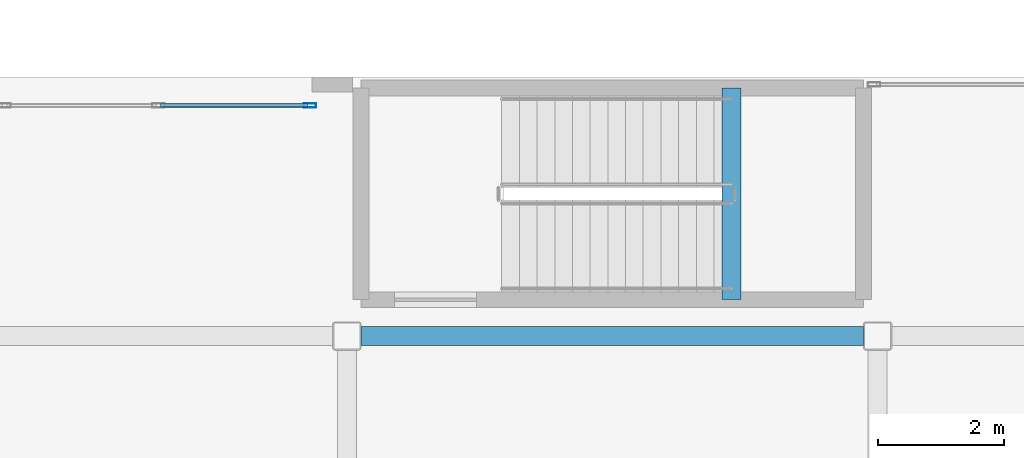
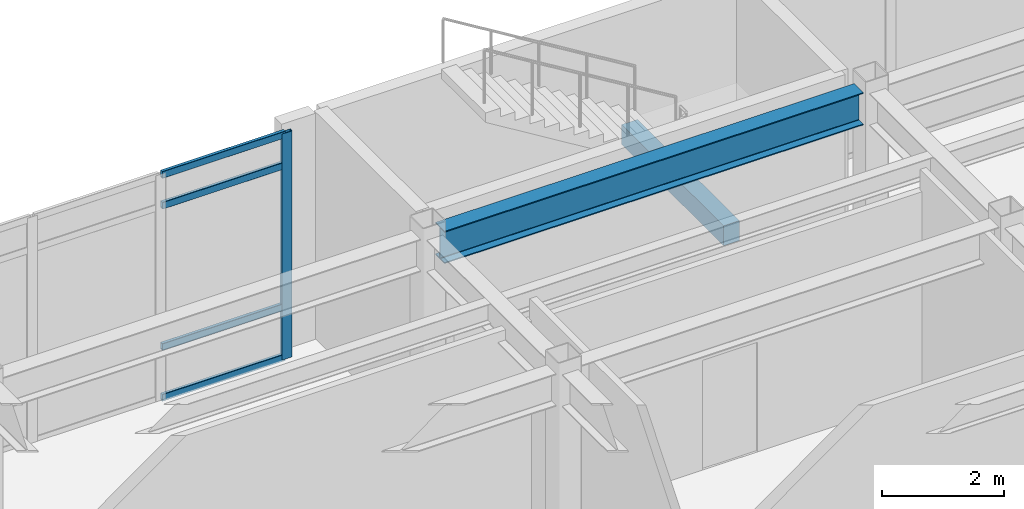
# One storey, part 87 of 172: 5 members, 2 beams, 1 element without a shape of its own.
"""IFC4 building model written with IfcOpenShell, lengths in metres."""

from ifc_helpers import new_model, si_unit, direction, frame, origin, origin_2d, place, context, subcontext, project, spatial, rectangle, hollow_rectangle, i_section, extrude, material, layer, layer_set, material_profile, profile_set, type_object, element, aggregate, save


model = new_model("IFC4")

# Units and contexts
model_context = context("Model", 3, precision=1e-05, world=origin(), true_north=direction((0.0, 1.0)))
body_context = subcontext(model_context, "Body", "Model", "MODEL_VIEW")
ifc_project = project(units=[si_unit("LENGTHUNIT", "METRE"), si_unit("AREAUNIT", "SQUARE_METRE"), si_unit("VOLUMEUNIT", "CUBIC_METRE"), si_unit("PLANEANGLEUNIT", "RADIAN"), si_unit("MASSUNIT", "GRAM", prefix="KILO")], contexts=[model_context])

# Site, building, storey
site_placement = place(None, origin())
site = spatial("IfcSite", under=ifc_project, at=site_placement, CompositionType="ELEMENT")
building_placement = place(site_placement, origin())
building = spatial("IfcBuilding", under=site, at=building_placement, Name="Kazehara Bluff Congress Hotel", CompositionType="ELEMENT")
storey_placement = place(building_placement, frame((0.0, 0.0, 5.39990234375)))
storey = spatial("IfcBuildingStorey", under=building, at=storey_placement, Name="L01", CompositionType="ELEMENT", Elevation=5.39990234375)

# Curtain wall, members
ifc_material_1 = material(Name="Anodised aluminium", Category="aluminium")
ifc_layer = layer(ifc_material_1, 0.159912109375)
ifc_layer_set = layer_set([ifc_layer], Name="Anodised aluminium")
curtain_wall_type = type_object("IfcCurtainWallType", Name="TP-CW-48", PredefinedType="NOTDEFINED", material=ifc_layer_set)
curtain_wall_placement = place(storey_placement, origin())
curtain_wall = element("IfcCurtainWall", 1, at=curtain_wall_placement, inside=storey, type_object=curtain_wall_type, Name="L01 curtain wall CW-48 CW-V3-L01-Y11355-7660", PredefinedType="NOTDEFINED")
ifc_material_2 = material(Name="Anodised aluminium", Category="aluminium")
ifc_material_profile_1 = material_profile(ifc_material_2, hollow_rectangle(XDim=0.070068359375, YDim=0.199951171875, WallThickness=0.0048828125, InnerFilletRadius=0.0048828125, OuterFilletRadius=0.010009765625, at=origin_2d()))
ifc_profile_set_1 = profile_set([ifc_material_profile_1], Name="Anodised aluminium")
member_type_1 = type_object("IfcMemberType", Name="TP-CWM-03", PredefinedType="MULLION", material=ifc_profile_set_1)
member_1_placement = place(storey_placement, frame((83.864990234375, 113.550048828125, 0.0), z_axis=(0.0, 0.0, 1.0), x_axis=(0.0, 1.0, 0.0)))
member_1 = element("IfcMember", 2, at=member_1_placement, type_object=member_type_1, Name="CW-48 mullion 4", PredefinedType="MULLION", context=body_context, shape_type="SweptSolid", body=[
    extrude(hollow_rectangle(XDim=0.070068359375, YDim=0.199951171875, WallThickness=0.0048828125, InnerFilletRadius=0.0048828125, OuterFilletRadius=0.010009765625, at=origin_2d()), origin(), (0.0, 0.0, 1.0), 4.53515625),
])
ifc_material_3 = material(Name="Anodised aluminium", Category="aluminium")
ifc_material_profile_2 = material_profile(ifc_material_3, hollow_rectangle(XDim=0.06494140625, YDim=0.139892578125, WallThickness=0.00390625, InnerFilletRadius=0.00390625, OuterFilletRadius=0.008056640625, at=origin_2d()))
ifc_profile_set_2 = profile_set([ifc_material_profile_2], Name="Anodised aluminium")
member_type_2 = type_object("IfcMemberType", Name="TP-CWT-02", PredefinedType="USERDEFINED", material=ifc_profile_set_2)
member_2_placement = place(storey_placement, frame((81.501708984375, 113.550048828125, 0.03271484375), z_axis=(1.0, 0.0, 0.0), x_axis=(0.0, 1.0, 0.0)))
member_2 = element("IfcMember", 3, at=member_2_placement, type_object=member_type_2, Name="CW-48 transom 3.1", ObjectType="TRANSOM", PredefinedType="USERDEFINED", context=body_context, shape_type="SweptSolid", body=[
    extrude(hollow_rectangle(XDim=0.06494140625, YDim=0.139892578125, WallThickness=0.00390625, InnerFilletRadius=0.00390625, OuterFilletRadius=0.008056640625, at=origin_2d()), origin(), (0.0, 0.0, 1.0), 2.328369140625),
])
member_3_placement = place(storey_placement, frame((81.501708984375, 113.550048828125, 1.050048828125), z_axis=(1.0, 0.0, 0.0), x_axis=(0.0, 1.0, 0.0)))
member_3 = element("IfcMember", 4, at=member_3_placement, type_object=member_type_2, Name="CW-48 transom 3.2", ObjectType="TRANSOM", PredefinedType="USERDEFINED", context=body_context, shape_type="SweptSolid", body=[
    extrude(hollow_rectangle(XDim=0.06494140625, YDim=0.139892578125, WallThickness=0.00390625, InnerFilletRadius=0.00390625, OuterFilletRadius=0.008056640625, at=origin_2d()), origin(), (0.0, 0.0, 1.0), 2.328369140625),
])
member_4_placement = place(storey_placement, frame((81.501708984375, 113.550048828125, 3.885009765625), z_axis=(1.0, 0.0, 0.0), x_axis=(0.0, 1.0, 0.0)))
member_4 = element("IfcMember", 5, at=member_4_placement, type_object=member_type_2, Name="CW-48 transom 3.3", ObjectType="TRANSOM", PredefinedType="USERDEFINED", context=body_context, shape_type="SweptSolid", body=[
    extrude(hollow_rectangle(XDim=0.06494140625, YDim=0.139892578125, WallThickness=0.00390625, InnerFilletRadius=0.00390625, OuterFilletRadius=0.008056640625, at=origin_2d()), origin(), (0.0, 0.0, 1.0), 2.328369140625),
])
member_5_placement = place(storey_placement, frame((81.501708984375, 113.550048828125, 4.502685546875), z_axis=(1.0, 0.0, 0.0), x_axis=(0.0, 1.0, 0.0)))
member_5 = element("IfcMember", 6, at=member_5_placement, type_object=member_type_2, Name="CW-48 transom 3.4", ObjectType="TRANSOM", PredefinedType="USERDEFINED", context=body_context, shape_type="SweptSolid", body=[
    extrude(hollow_rectangle(XDim=0.06494140625, YDim=0.139892578125, WallThickness=0.00390625, InnerFilletRadius=0.00390625, OuterFilletRadius=0.008056640625, at=origin_2d()), origin(), (0.0, 0.0, 1.0), 2.328369140625),
])
aggregate(curtain_wall, [member_1, member_2, member_3, member_4, member_5])

# Beams
ifc_material_4 = material(Name="Steel SN490B", Category="steel")
ifc_material_profile_3 = material_profile(ifc_material_4, i_section(OverallWidth=0.300048828125, OverallDepth=0.64990234375, WebThickness=0.011962890625, FlangeThickness=0.02001953125, FilletRadius=0.012939453125, at=origin_2d()))
ifc_profile_set_3 = profile_set([ifc_material_profile_3], Name="Steel SN490B")
beam_type_1 = type_object("IfcBeamType", Name="TP-G-03", PredefinedType="BEAM", material=ifc_profile_set_3)
beam_1_placement = place(storey_placement, frame((84.675048828125, 109.89990234375, 4.22509765625), z_axis=(1.0, 0.0, 0.0), x_axis=(0.0, 1.0, 0.0)))
element("IfcBeam", 7, at=beam_1_placement, inside=storey, type_object=beam_type_1, Name="L01 girder G-03 146", PredefinedType="BEAM", context=body_context, shape_type="SweptSolid", body=[
    extrude(i_section(OverallWidth=0.300048828125, OverallDepth=0.64990234375, WebThickness=0.011962890625, FlangeThickness=0.02001953125, FilletRadius=0.012939453125, at=origin_2d()), origin(), (0.0, 0.0, 1.0), 7.949951171875),
])
ifc_material_5 = material(Name="Concrete C40/50", Category="concrete")
ifc_material_profile_4 = material_profile(ifc_material_5, rectangle(XDim=0.300048828125, YDim=0.39990234375, at=origin_2d()))
ifc_profile_set_4 = profile_set([ifc_material_profile_4], Name="Concrete C40/50")
beam_type_2 = type_object("IfcBeamType", Name="TP-LN-02", PredefinedType="LINTEL", material=ifc_profile_set_4)
beam_2_placement = place(storey_placement, frame((90.5400390625, 110.47509765625, 2.02001953125), z_axis=(0.0, 1.0, 0.0), x_axis=(-1.0, 0.0, 0.0)))
element("IfcBeam", 8, at=beam_2_placement, inside=storey, type_object=beam_type_2, Name="L01 ST-07 half-landing support beam 1", PredefinedType="LINTEL", context=body_context, shape_type="SweptSolid", body=[
    extrude(rectangle(XDim=0.300048828125, YDim=0.39990234375, at=origin_2d()), origin(), (0.0, 0.0, 1.0), 3.349853515625),
])

save(model, "model.ifc")
